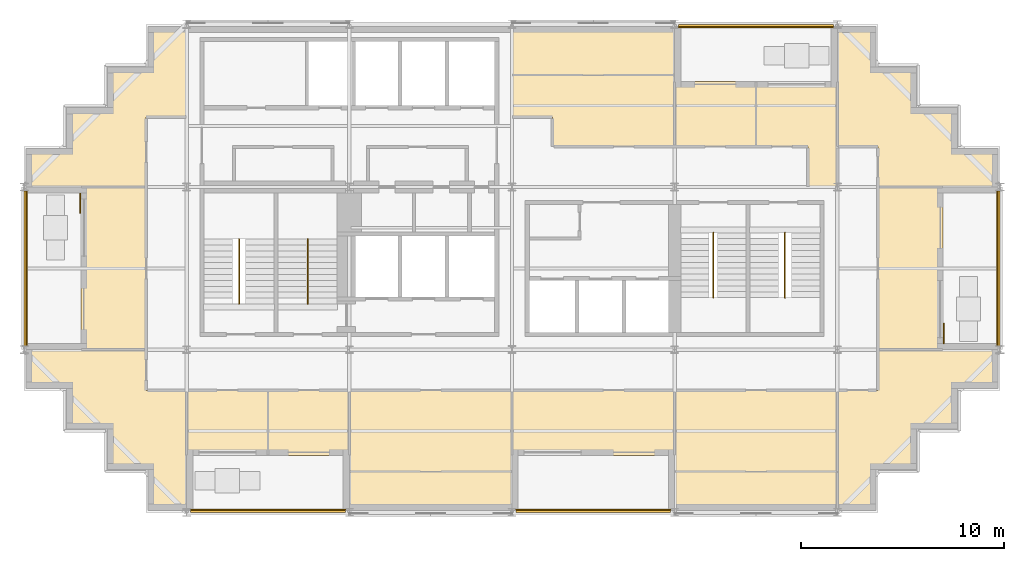
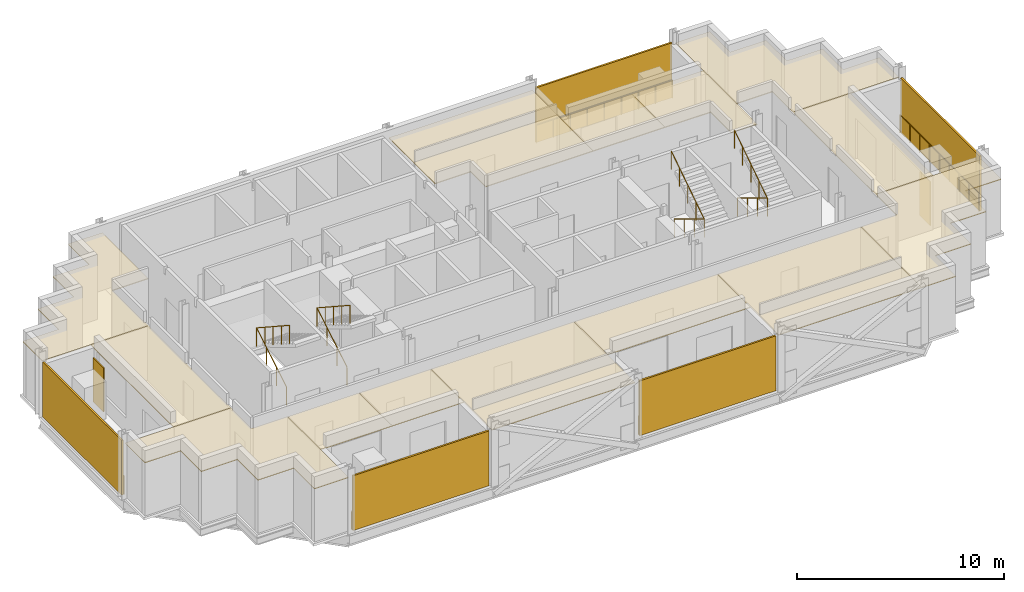
# One storey, part 9 of 10: 17 coverings, 9 railings, 7 shading devices.
"""IFC4 building model written with IfcOpenShell, lengths in metres."""

from ifc_helpers import new_model, si_unit, direction, frame, origin, origin_2d, place, context, subcontext, project, spatial, polyline, rectangle, circle, outline, extrude, material, layer, layer_set, type_object, element, save


model = new_model("IFC4")

# Units and contexts
model_context = context("Model", 3, precision=1e-05, world=origin(), true_north=direction((0.0, 1.0)))
body_context = subcontext(model_context, "Body", "Model", "MODEL_VIEW")
ifc_project = project(units=[si_unit("LENGTHUNIT", "METRE"), si_unit("AREAUNIT", "SQUARE_METRE"), si_unit("VOLUMEUNIT", "CUBIC_METRE"), si_unit("PLANEANGLEUNIT", "RADIAN"), si_unit("MASSUNIT", "GRAM", prefix="KILO")], contexts=[model_context])

# Site, building, storey
site_placement = place(None, origin())
site = spatial("IfcSite", under=ifc_project, at=site_placement, CompositionType="ELEMENT")
building_placement = place(site_placement, origin())
building = spatial("IfcBuilding", under=site, at=building_placement, Name="Immortelle Media Tower", CompositionType="ELEMENT")
storey_placement = place(building_placement, frame((0.0, 0.0, 259.0)))
storey = spatial("IfcBuildingStorey", under=building, at=storey_placement, Name="L56", CompositionType="ELEMENT", Elevation=259.0)

# Railings
ifc_material_1 = material(Name="Powder-coated aluminium fretwork panel, laminated glass backing", Category="aluminium")
railing_type_1 = type_object("IfcRailingType", Name="Fretwork balustrade 1100", PredefinedType="BALUSTRADE", material=ifc_material_1)
railing_1_placement = place(storey_placement, frame((8.197021484375, 0.139892578125, 0.0)))
element("IfcRailing", 1, at=railing_1_placement, inside=storey, type_object=railing_type_1, Name="Fretwork balustrade L56 S0", PredefinedType="BALUSTRADE", context=body_context, shape_type="SweptSolid", body=[
    extrude(circle(Radius=0.02490234375, at=origin_2d()), frame((0.0, 0.0, 1.0751953125), z_axis=(1.0, 0.0, 0.0), x_axis=(0.0, 1.0, 0.0)), (0.0, 0.0, 1.0), 7.6025390625),
    extrude(circle(Radius=0.02001953125, at=origin_2d()), origin(), (0.0, 0.0, 1.0), 1.050048828125),
    extrude(circle(Radius=0.02001953125, at=origin_2d()), frame((0.9501953125, 0.0, 0.0)), (0.0, 0.0, 1.0), 1.050048828125),
    extrude(circle(Radius=0.02001953125, at=origin_2d()), frame((1.900634765625, 0.0, 0.0)), (0.0, 0.0, 1.0), 1.050048828125),
    extrude(circle(Radius=0.02001953125, at=origin_2d()), frame((2.85107421875, 0.0, 0.0)), (0.0, 0.0, 1.0), 1.050048828125),
    extrude(circle(Radius=0.02001953125, at=origin_2d()), frame((3.80126953125, 0.0, 0.0)), (0.0, 0.0, 1.0), 1.050048828125),
    extrude(circle(Radius=0.02001953125, at=origin_2d()), frame((4.75146484375, 0.0, 0.0)), (0.0, 0.0, 1.0), 1.050048828125),
    extrude(circle(Radius=0.02001953125, at=origin_2d()), frame((5.701904296875, 0.0, 0.0)), (0.0, 0.0, 1.0), 1.050048828125),
    extrude(circle(Radius=0.02001953125, at=origin_2d()), frame((6.65234375, 0.0, 0.0)), (0.0, 0.0, 1.0), 1.050048828125),
    extrude(circle(Radius=0.02001953125, at=origin_2d()), frame((7.6025390625, 0.0, 0.0)), (0.0, 0.0, 1.0), 1.050048828125),
])
railing_2_placement = place(storey_placement, frame((24.200439453125, 0.139892578125, 0.0)))
element("IfcRailing", 2, at=railing_2_placement, inside=storey, type_object=railing_type_1, Name="Fretwork balustrade L56 S2", PredefinedType="BALUSTRADE", context=body_context, shape_type="SweptSolid", body=[
    extrude(circle(Radius=0.02490234375, at=origin_2d()), frame((0.0, 0.0, 1.0751953125), z_axis=(1.0, 0.0, 0.0), x_axis=(0.0, 1.0, 0.0)), (0.0, 0.0, 1.0), 7.59912109375),
    extrude(circle(Radius=0.02001953125, at=origin_2d()), origin(), (0.0, 0.0, 1.0), 1.050048828125),
    extrude(circle(Radius=0.02001953125, at=origin_2d()), frame((0.949951171875, 0.0, 0.0)), (0.0, 0.0, 1.0), 1.050048828125),
    extrude(circle(Radius=0.02001953125, at=origin_2d()), frame((1.89990234375, 0.0, 0.0)), (0.0, 0.0, 1.0), 1.050048828125),
    extrude(circle(Radius=0.02001953125, at=origin_2d()), frame((2.849609375, 0.0, 0.0)), (0.0, 0.0, 1.0), 1.050048828125),
    extrude(circle(Radius=0.02001953125, at=origin_2d()), frame((3.799560546875, 0.0, 0.0)), (0.0, 0.0, 1.0), 1.050048828125),
    extrude(circle(Radius=0.02001953125, at=origin_2d()), frame((4.74951171875, 0.0, 0.0)), (0.0, 0.0, 1.0), 1.050048828125),
    extrude(circle(Radius=0.02001953125, at=origin_2d()), frame((5.69921875, 0.0, 0.0)), (0.0, 0.0, 1.0), 1.050048828125),
    extrude(circle(Radius=0.02001953125, at=origin_2d()), frame((6.649169921875, 0.0, 0.0)), (0.0, 0.0, 1.0), 1.050048828125),
    extrude(circle(Radius=0.02001953125, at=origin_2d()), frame((7.59912109375, 0.0, 0.0)), (0.0, 0.0, 1.0), 1.050048828125),
])
railing_3_placement = place(storey_placement, frame((47.860107421875, 8.18798828125, 0.0)))
element("IfcRailing", 3, at=railing_3_placement, inside=storey, type_object=railing_type_1, Name="Fretwork balustrade L56 E0", PredefinedType="BALUSTRADE", context=body_context, shape_type="SweptSolid", body=[
    extrude(circle(Radius=0.02490234375, at=origin_2d()), frame((0.0, 0.0, 1.0751953125), z_axis=(0.0, 1.0, 0.0), x_axis=(-1.0, 0.0, 0.0)), (0.0, 0.0, 1.0), 7.6240234375),
    extrude(circle(Radius=0.02001953125, at=origin_2d()), origin(), (0.0, 0.0, 1.0), 1.050048828125),
    extrude(circle(Radius=0.02001953125, at=origin_2d()), frame((0.0, 0.953125, 0.0)), (0.0, 0.0, 1.0), 1.050048828125),
    extrude(circle(Radius=0.02001953125, at=origin_2d()), frame((0.0, 1.906005859375, 0.0)), (0.0, 0.0, 1.0), 1.050048828125),
    extrude(circle(Radius=0.02001953125, at=origin_2d()), frame((0.0, 2.85888671875, 0.0)), (0.0, 0.0, 1.0), 1.050048828125),
    extrude(circle(Radius=0.02001953125, at=origin_2d()), frame((0.0, 3.81201171875, 0.0)), (0.0, 0.0, 1.0), 1.050048828125),
    extrude(circle(Radius=0.02001953125, at=origin_2d()), frame((0.0, 4.76513671875, 0.0)), (0.0, 0.0, 1.0), 1.050048828125),
    extrude(circle(Radius=0.02001953125, at=origin_2d()), frame((0.0, 5.718017578125, 0.0)), (0.0, 0.0, 1.0), 1.050048828125),
    extrude(circle(Radius=0.02001953125, at=origin_2d()), frame((0.0, 6.6708984375, 0.0)), (0.0, 0.0, 1.0), 1.050048828125),
    extrude(circle(Radius=0.02001953125, at=origin_2d()), frame((0.0, 7.6240234375, 0.0)), (0.0, 0.0, 1.0), 1.050048828125),
])
railing_4_placement = place(storey_placement, frame((39.802978515625, 23.860107421875, 0.0)))
element("IfcRailing", 4, at=railing_4_placement, inside=storey, type_object=railing_type_1, Name="Fretwork balustrade L56 N0", PredefinedType="BALUSTRADE", context=body_context, shape_type="SweptSolid", body=[
    extrude(circle(Radius=0.02490234375, at=origin_2d()), frame((0.0, 0.0, 1.0751953125), z_axis=(-1.0, 0.0, 0.0), x_axis=(0.0, -1.0, 0.0)), (0.0, 0.0, 1.0), 7.6025390625),
    extrude(circle(Radius=0.02001953125, at=origin_2d()), origin(), (0.0, 0.0, 1.0), 1.050048828125),
    extrude(circle(Radius=0.02001953125, at=origin_2d()), frame((-0.9501953125, 0.0, 0.0)), (0.0, 0.0, 1.0), 1.050048828125),
    extrude(circle(Radius=0.02001953125, at=origin_2d()), frame((-1.900634765625, 0.0, 0.0)), (0.0, 0.0, 1.0), 1.050048828125),
    extrude(circle(Radius=0.02001953125, at=origin_2d()), frame((-2.85107421875, 0.0, 0.0)), (0.0, 0.0, 1.0), 1.050048828125),
    extrude(circle(Radius=0.02001953125, at=origin_2d()), frame((-3.80126953125, 0.0, 0.0)), (0.0, 0.0, 1.0), 1.050048828125),
    extrude(circle(Radius=0.02001953125, at=origin_2d()), frame((-4.75146484375, 0.0, 0.0)), (0.0, 0.0, 1.0), 1.050048828125),
    extrude(circle(Radius=0.02001953125, at=origin_2d()), frame((-5.701904296875, 0.0, 0.0)), (0.0, 0.0, 1.0), 1.050048828125),
    extrude(circle(Radius=0.02001953125, at=origin_2d()), frame((-6.65234375, 0.0, 0.0)), (0.0, 0.0, 1.0), 1.050048828125),
    extrude(circle(Radius=0.02001953125, at=origin_2d()), frame((-7.6025390625, 0.0, 0.0)), (0.0, 0.0, 1.0), 1.050048828125),
])
railing_5_placement = place(storey_placement, frame((0.139892578125, 15.81201171875, 0.0)))
element("IfcRailing", 5, at=railing_5_placement, inside=storey, type_object=railing_type_1, Name="Fretwork balustrade L56 W0", PredefinedType="BALUSTRADE", context=body_context, shape_type="SweptSolid", body=[
    extrude(circle(Radius=0.02490234375, at=origin_2d()), frame((0.0, 0.0, 1.0751953125), z_axis=(0.0, -1.0, 0.0), x_axis=(1.0, 0.0, 0.0)), (0.0, 0.0, 1.0), 7.6240234375),
    extrude(circle(Radius=0.02001953125, at=origin_2d()), origin(), (0.0, 0.0, 1.0), 1.050048828125),
    extrude(circle(Radius=0.02001953125, at=origin_2d()), frame((0.0, -0.953125, 0.0)), (0.0, 0.0, 1.0), 1.050048828125),
    extrude(circle(Radius=0.02001953125, at=origin_2d()), frame((0.0, -1.906005859375, 0.0)), (0.0, 0.0, 1.0), 1.050048828125),
    extrude(circle(Radius=0.02001953125, at=origin_2d()), frame((0.0, -2.85888671875, 0.0)), (0.0, 0.0, 1.0), 1.050048828125),
    extrude(circle(Radius=0.02001953125, at=origin_2d()), frame((0.0, -3.81201171875, 0.0)), (0.0, 0.0, 1.0), 1.050048828125),
    extrude(circle(Radius=0.02001953125, at=origin_2d()), frame((0.0, -4.76513671875, 0.0)), (0.0, 0.0, 1.0), 1.050048828125),
    extrude(circle(Radius=0.02001953125, at=origin_2d()), frame((0.0, -5.718017578125, 0.0)), (0.0, 0.0, 1.0), 1.050048828125),
    extrude(circle(Radius=0.02001953125, at=origin_2d()), frame((0.0, -6.6708984375, 0.0)), (0.0, 0.0, 1.0), 1.050048828125),
    extrude(circle(Radius=0.02001953125, at=origin_2d()), frame((0.0, -7.6240234375, 0.0)), (0.0, 0.0, 1.0), 1.050048828125),
])

# Shading devices
ifc_material_2 = material(Name="Pale aluminium louvre blades", Category="aluminium")
ifc_layer_1 = layer(ifc_material_2, 0.10009765625)
ifc_layer_set_1 = layer_set([ifc_layer_1], Name="Pale aluminium louvre blades")
shading_device_type_1 = type_object("IfcShadingDeviceType", Name="Jalousie screen 100", PredefinedType="JALOUSIE", material=ifc_layer_set_1)
shading_device_1_placement = place(storey_placement, frame((11.998291015625, 0.050048828125, 0.0), z_axis=(0.0, 0.0, 1.0), x_axis=(1.0, 0.0, 0.0)))
element("IfcShadingDevice", 6, at=shading_device_1_placement, inside=storey, type_object=shading_device_type_1, Name="Jalousie screen L56 S0", PredefinedType="JALOUSIE", context=body_context, shape_type="SweptSolid", body=[
    extrude(rectangle(XDim=7.6025390625, YDim=0.10009765625, at=origin_2d()), origin(), (0.0, 0.0, 1.0), 3.238037109375),
])
shading_device_2_placement = place(storey_placement, frame((28.0, 0.050048828125, 0.0), z_axis=(0.0, 0.0, 1.0), x_axis=(1.0, 0.0, 0.0)))
element("IfcShadingDevice", 7, at=shading_device_2_placement, inside=storey, type_object=shading_device_type_1, Name="Jalousie screen L56 S2", PredefinedType="JALOUSIE", context=body_context, shape_type="SweptSolid", body=[
    extrude(rectangle(XDim=7.59912109375, YDim=0.10009765625, at=origin_2d()), origin(), (0.0, 0.0, 1.0), 3.238037109375),
])
shading_device_3_placement = place(storey_placement, frame((47.949951171875, 12.0, 0.0), z_axis=(0.0, 0.0, 1.0), x_axis=(0.0, 1.0, 0.0)))
element("IfcShadingDevice", 8, at=shading_device_3_placement, inside=storey, type_object=shading_device_type_1, Name="Jalousie screen L56 E0", PredefinedType="JALOUSIE", context=body_context, shape_type="SweptSolid", body=[
    extrude(rectangle(XDim=7.6240234375, YDim=0.10009765625, at=origin_2d()), origin(), (0.0, 0.0, 1.0), 3.238037109375),
])
shading_device_4_placement = place(storey_placement, frame((36.001708984375, 23.949951171875, 0.0), z_axis=(0.0, 0.0, 1.0), x_axis=(-1.0, 0.0, 0.0)))
element("IfcShadingDevice", 9, at=shading_device_4_placement, inside=storey, type_object=shading_device_type_1, Name="Jalousie screen L56 N0", PredefinedType="JALOUSIE", context=body_context, shape_type="SweptSolid", body=[
    extrude(rectangle(XDim=7.6025390625, YDim=0.10009765625, at=origin_2d()), origin(), (0.0, 0.0, 1.0), 3.238037109375),
])
shading_device_5_placement = place(storey_placement, frame((0.050048828125, 12.0, 0.0), z_axis=(0.0, 0.0, 1.0), x_axis=(0.0, -1.0, 0.0)))
element("IfcShadingDevice", 10, at=shading_device_5_placement, inside=storey, type_object=shading_device_type_1, Name="Jalousie screen L56 W0", PredefinedType="JALOUSIE", context=body_context, shape_type="SweptSolid", body=[
    extrude(rectangle(XDim=7.6240234375, YDim=0.10009765625, at=origin_2d()), origin(), (0.0, 0.0, 1.0), 3.238037109375),
])
ifc_material_3 = material(Name="Pale aluminium louvre blades in a folding frame", Category="aluminium")
ifc_layer_2 = layer(ifc_material_3, 0.050048828125)
ifc_layer_set_2 = layer_set([ifc_layer_2], Name="Pale aluminium louvre blades in a folding frame")
shading_device_type_2 = type_object("IfcShadingDeviceType", Name="Louvred loggia shutter", PredefinedType="SHUTTER", material=ifc_layer_set_2)
for number, where, z_axis, x_axis, name in (
    (11, (45.22509765625, 8.800048828125, 0.0), (0.0, 0.0, 1.0), (0.0, 1.0, 0.0), "Loggia shutter L56 E0"),
    (12, (2.77490234375, 15.199951171875, 0.0), (0.0, 0.0, 1.0), (0.0, -1.0, 0.0), "Loggia shutter L56 W0"),
):
    element("IfcShadingDevice", number, at=place(storey_placement, frame(where, z_axis=z_axis, x_axis=x_axis)), inside=storey, type_object=shading_device_type_2, Name=name, PredefinedType="SHUTTER", context=body_context, shape_type="SweptSolid", body=[
        extrude(rectangle(XDim=1.0, YDim=0.050048828125, at=origin_2d()), origin(), (0.0, 0.0, 1.0), 2.60009765625),
    ])

# Railings
ifc_material_4 = material(Name="Stainless steel AISI 316", Category="steel")
railing_type_2 = type_object("IfcRailingType", Name="Stair guard 1100", PredefinedType="GUARDRAIL", material=ifc_material_4)
for number, where, name in (
    (13, (10.574951171875, 10.5400390625, 0.173828125), "Stair guard SW1"),
    (14, (13.949951171875, 10.5400390625, 0.173828125), "Stair guard SW2"),
):
    element("IfcRailing", number, at=place(storey_placement, frame(where)), inside=storey, type_object=railing_type_2, Name=name, PredefinedType="GUARDRAIL", context=body_context, shape_type="SweptSolid", body=[
        extrude(circle(Radius=0.02392578125, at=origin_2d()), frame((0.0, 0.0, 1.076171875), z_axis=(0.0, 0.857582100076, 0.514347102285), x_axis=(-1.0, 0.0, 0.0)), (0.0, 0.0, 1.0), 3.381591796875),
        extrude(circle(Radius=0.02392578125, at=origin_2d()), frame((0.0, 2.89990234375, 2.8154296875), z_axis=(0.0, -0.836827423118, 0.547466769693), x_axis=(1.0, 0.0, 0.0)), (0.0, 0.0, 1.0), 3.81201171875),
        extrude(circle(Radius=0.02099609375, at=origin_2d()), origin(), (0.0, 0.0, 1.0), 1.052001953125),
        extrude(circle(Radius=0.02099609375, at=origin_2d()), frame((0.0, 0.966552734375, 0.579833984375)), (0.0, 0.0, 1.0), 1.052001953125),
        extrude(circle(Radius=0.02099609375, at=origin_2d()), frame((0.0, 1.933349609375, 1.159423828125)), (0.0, 0.0, 1.0), 1.052001953125),
        extrude(circle(Radius=0.02099609375, at=origin_2d()), frame((0.0, 2.89990234375, 1.7392578125)), (0.0, 0.0, 1.0), 1.052001953125),
        extrude(circle(Radius=0.02099609375, at=origin_2d()), frame((0.0, 2.1025390625, 2.260986328125)), (0.0, 0.0, 1.0), 1.052001953125),
        extrude(circle(Radius=0.02099609375, at=origin_2d()), frame((0.0, 1.304931640625, 2.78271484375)), (0.0, 0.0, 1.0), 1.052001953125),
        extrude(circle(Radius=0.02099609375, at=origin_2d()), frame((0.0, 0.50732421875, 3.304443359375)), (0.0, 0.0, 1.0), 1.052001953125),
        extrude(circle(Radius=0.02099609375, at=origin_2d()), frame((0.0, -0.2900390625, 3.826171875)), (0.0, 0.0, 1.0), 1.052001953125),
    ])
for number, where, name in (
    (15, (33.89990234375, 13.4599609375, 0.173828125), "Stair guard SE1"),
    (16, (37.425048828125, 13.4599609375, 0.173828125), "Stair guard SE2"),
):
    element("IfcRailing", number, at=place(storey_placement, frame(where)), inside=storey, type_object=railing_type_2, Name=name, PredefinedType="GUARDRAIL", context=body_context, shape_type="SweptSolid", body=[
        extrude(circle(Radius=0.02392578125, at=origin_2d()), frame((0.0, 0.0, 1.076171875), z_axis=(0.0, -0.857582100076, 0.514347102285), x_axis=(1.0, 0.0, 0.0)), (0.0, 0.0, 1.0), 3.381591796875),
        extrude(circle(Radius=0.02392578125, at=origin_2d()), frame((0.0, -2.89990234375, 2.8154296875), z_axis=(0.0, 0.836827423118, 0.547466769693), x_axis=(-1.0, 0.0, 0.0)), (0.0, 0.0, 1.0), 3.81201171875),
        extrude(circle(Radius=0.02099609375, at=origin_2d()), origin(), (0.0, 0.0, 1.0), 1.052001953125),
        extrude(circle(Radius=0.02099609375, at=origin_2d()), frame((0.0, -0.966552734375, 0.579833984375)), (0.0, 0.0, 1.0), 1.052001953125),
        extrude(circle(Radius=0.02099609375, at=origin_2d()), frame((0.0, -1.933349609375, 1.159423828125)), (0.0, 0.0, 1.0), 1.052001953125),
        extrude(circle(Radius=0.02099609375, at=origin_2d()), frame((0.0, -2.89990234375, 1.7392578125)), (0.0, 0.0, 1.0), 1.052001953125),
        extrude(circle(Radius=0.02099609375, at=origin_2d()), frame((0.0, -2.1025390625, 2.260986328125)), (0.0, 0.0, 1.0), 1.052001953125),
        extrude(circle(Radius=0.02099609375, at=origin_2d()), frame((0.0, -1.304931640625, 2.78271484375)), (0.0, 0.0, 1.0), 1.052001953125),
        extrude(circle(Radius=0.02099609375, at=origin_2d()), frame((0.0, -0.50732421875, 3.304443359375)), (0.0, 0.0, 1.0), 1.052001953125),
        extrude(circle(Radius=0.02099609375, at=origin_2d()), frame((0.0, 0.2900390625, 3.826171875)), (0.0, 0.0, 1.0), 1.052001953125),
    ])

# Coverings
ifc_material_5 = material(Name="Mineral fibre tile ceiling")
ifc_layer_3 = layer(ifc_material_5, 0.050048828125)
ifc_layer_set_3 = layer_set([ifc_layer_3], Name="Mineral fibre tile ceiling")
covering_type = type_object("IfcCoveringType", Name="Suspended ceiling 50", PredefinedType="CEILING", material=ifc_layer_set_3)
covering_1_placement = place(storey_placement, frame((0.0, 0.0, 3.1220703125)))
element("IfcCovering", 17, at=covering_1_placement, inside=storey, type_object=covering_type, Name="Ceiling L56-001", PredefinedType="CEILING", context=body_context, shape_type="SweptSolid", body=[
    extrude(outline(polyline([(16.0, 2.800048828125), (16.0, 6.0), (24.0, 6.0), (24.0, 2.800048828125), (24.0, 2.0), (16.0, 2.0), (16.0, 2.800048828125)])), origin(), (0.0, 0.0, 1.0), 0.050048828125),
])
covering_2_placement = place(storey_placement, frame((0.0, 0.0, 3.1220703125)))
element("IfcCovering", 18, at=covering_2_placement, inside=storey, type_object=covering_type, Name="Ceiling L56-002", PredefinedType="CEILING", context=body_context, shape_type="SweptSolid", body=[
    extrude(outline(polyline([(16.0, 2.0), (24.0, 2.0), (24.0, 0.10009765625), (16.0, 0.10009765625), (16.0, 2.0)])), origin(), (0.0, 0.0, 1.0), 0.050048828125),
])
covering_3_placement = place(storey_placement, frame((0.0, 0.0, 3.1220703125)))
element("IfcCovering", 19, at=covering_3_placement, inside=storey, type_object=covering_type, Name="Ceiling L56-003", PredefinedType="CEILING", context=body_context, shape_type="SweptSolid", body=[
    extrude(outline(polyline([(32.0, 2.800048828125), (32.0, 6.0), (40.0, 6.0), (40.0, 2.0), (32.0, 2.0), (32.0, 2.800048828125)])), origin(), (0.0, 0.0, 1.0), 0.050048828125),
])
covering_4_placement = place(storey_placement, frame((0.0, 0.0, 3.1220703125)))
element("IfcCovering", 20, at=covering_4_placement, inside=storey, type_object=covering_type, Name="Ceiling L56-004", PredefinedType="CEILING", context=body_context, shape_type="SweptSolid", body=[
    extrude(outline(polyline([(32.0, 2.0), (40.0, 2.0), (40.0, 0.10009765625), (32.0, 0.10009765625), (32.0, 2.0)])), origin(), (0.0, 0.0, 1.0), 0.050048828125),
])
covering_5_placement = place(storey_placement, frame((0.0, 0.0, 3.1220703125)))
element("IfcCovering", 21, at=covering_5_placement, inside=storey, type_object=covering_type, Name="Ceiling L56-005", PredefinedType="CEILING", context=body_context, shape_type="SweptSolid", body=[
    extrude(outline(polyline([(8.0, 6.0), (12.0, 6.0), (12.0, 2.800048828125), (8.0, 2.800048828125), (8.0, 6.0)])), origin(), (0.0, 0.0, 1.0), 0.050048828125),
])
covering_6_placement = place(storey_placement, frame((0.0, 0.0, 3.1220703125)))
element("IfcCovering", 22, at=covering_6_placement, inside=storey, type_object=covering_type, Name="Ceiling L56-006", PredefinedType="CEILING", context=body_context, shape_type="SweptSolid", body=[
    extrude(outline(polyline([(16.0, 6.0), (16.0, 2.800048828125), (12.0, 2.800048828125), (12.0, 6.0), (16.0, 6.0)])), origin(), (0.0, 0.0, 1.0), 0.050048828125),
])
covering_7_placement = place(storey_placement, frame((0.0, 0.0, 3.1220703125)))
element("IfcCovering", 23, at=covering_7_placement, inside=storey, type_object=covering_type, Name="Ceiling L56-007", PredefinedType="CEILING", context=body_context, shape_type="SweptSolid", body=[
    extrude(outline(polyline([(24.0, 2.800048828125), (24.0, 6.0), (26.0, 6.0), (32.0, 6.0), (32.0, 2.800048828125), (24.0, 2.800048828125)])), origin(), (0.0, 0.0, 1.0), 0.050048828125),
])
covering_8_placement = place(storey_placement, frame((0.0, 0.0, 3.1220703125)))
element("IfcCovering", 24, at=covering_8_placement, inside=storey, type_object=covering_type, Name="Ceiling L56-008", PredefinedType="CEILING", context=body_context, shape_type="SweptSolid", body=[
    extrude(outline(polyline([(6.10009765625, 0.10009765625), (6.10009765625, 2.10009765625), (4.10009765625, 2.10009765625), (4.10009765625, 4.10009765625), (2.10009765625, 4.10009765625), (2.10009765625, 6.10009765625), (0.10009765625, 6.10009765625), (0.10009765625, 8.0), (2.800048828125, 8.0), (6.0, 8.0), (6.0, 6.0), (8.0, 6.0), (8.0, 2.800048828125), (8.0, 0.10009765625), (6.10009765625, 0.10009765625)])), origin(), (0.0, 0.0, 1.0), 0.050048828125),
])
covering_9_placement = place(storey_placement, frame((0.0, 0.0, 3.1220703125)))
element("IfcCovering", 25, at=covering_9_placement, inside=storey, type_object=covering_type, Name="Ceiling L56-009", PredefinedType="CEILING", context=body_context, shape_type="SweptSolid", body=[
    extrude(outline(polyline([(43.89990234375, 2.10009765625), (41.89990234375, 2.10009765625), (41.89990234375, 0.10009765625), (40.0, 0.10009765625), (40.0, 6.0), (42.0, 6.0), (42.0, 8.0), (44.0, 8.0), (45.199951171875, 8.0), (47.89990234375, 8.0), (47.89990234375, 6.10009765625), (45.89990234375, 6.10009765625), (45.89990234375, 4.10009765625), (44.0, 4.10009765625), (43.89990234375, 4.10009765625), (43.89990234375, 2.10009765625)])), origin(), (0.0, 0.0, 1.0), 0.050048828125),
])
covering_10_placement = place(storey_placement, frame((0.0, 0.0, 3.1220703125)))
element("IfcCovering", 26, at=covering_10_placement, inside=storey, type_object=covering_type, Name="Ceiling L56-010", PredefinedType="CEILING", context=body_context, shape_type="SweptSolid", body=[
    extrude(outline(polyline([(6.0, 8.0), (2.800048828125, 8.0), (2.800048828125, 16.0), (6.0, 16.0), (6.0, 8.0)])), origin(), (0.0, 0.0, 1.0), 0.050048828125),
])
covering_11_placement = place(storey_placement, frame((0.0, 0.0, 3.1220703125)))
element("IfcCovering", 27, at=covering_11_placement, inside=storey, type_object=covering_type, Name="Ceiling L56-011", PredefinedType="CEILING", context=body_context, shape_type="SweptSolid", body=[
    extrude(outline(polyline([(45.199951171875, 8.0), (42.0, 8.0), (42.0, 16.0), (45.199951171875, 16.0), (45.199951171875, 8.0)])), origin(), (0.0, 0.0, 1.0), 0.050048828125),
])
covering_12_placement = place(storey_placement, frame((0.0, 0.0, 3.1220703125)))
element("IfcCovering", 28, at=covering_12_placement, inside=storey, type_object=covering_type, Name="Ceiling L56-012", PredefinedType="CEILING", context=body_context, shape_type="SweptSolid", body=[
    extrude(outline(polyline([(2.800048828125, 16.0), (0.10009765625, 16.0), (0.10009765625, 17.89990234375), (2.10009765625, 17.89990234375), (2.10009765625, 19.89990234375), (4.10009765625, 19.89990234375), (4.10009765625, 20.0), (4.10009765625, 21.89990234375), (6.10009765625, 21.89990234375), (6.10009765625, 23.89990234375), (8.0, 23.89990234375), (8.0, 20.0), (8.0, 19.449951171875), (6.0, 19.449951171875), (6.0, 16.0), (2.800048828125, 16.0)])), origin(), (0.0, 0.0, 1.0), 0.050048828125),
])
covering_13_placement = place(storey_placement, frame((0.0, 0.0, 3.1220703125)))
element("IfcCovering", 29, at=covering_13_placement, inside=storey, type_object=covering_type, Name="Ceiling L56-013", PredefinedType="CEILING", context=body_context, shape_type="SweptSolid", body=[
    extrude(outline(polyline([(45.89990234375, 19.89990234375), (45.89990234375, 17.89990234375), (47.89990234375, 17.89990234375), (47.89990234375, 16.0), (45.199951171875, 16.0), (44.0, 16.0), (42.0, 16.0), (42.0, 18.0), (40.0, 18.0), (40.0, 21.199951171875), (40.0, 23.89990234375), (41.89990234375, 23.89990234375), (41.89990234375, 21.89990234375), (43.89990234375, 21.89990234375), (43.89990234375, 19.89990234375), (44.0, 19.89990234375), (45.89990234375, 19.89990234375)])), origin(), (0.0, 0.0, 1.0), 0.050048828125),
])
covering_14_placement = place(storey_placement, frame((0.0, 0.0, 3.1220703125)))
element("IfcCovering", 30, at=covering_14_placement, inside=storey, type_object=covering_type, Name="Ceiling L56-014", PredefinedType="CEILING", context=body_context, shape_type="SweptSolid", body=[
    extrude(outline(polyline([(32.0, 18.0), (32.0, 21.199951171875), (36.0, 21.199951171875), (36.0, 18.0), (32.0, 18.0)])), origin(), (0.0, 0.0, 1.0), 0.050048828125),
])
covering_15_placement = place(storey_placement, frame((0.0, 0.0, 3.1220703125)))
element("IfcCovering", 31, at=covering_15_placement, inside=storey, type_object=covering_type, Name="Ceiling L56-015", PredefinedType="CEILING", context=body_context, shape_type="SweptSolid", body=[
    extrude(outline(polyline([(38.550048828125, 18.0), (36.0, 18.0), (36.0, 21.199951171875), (40.0, 21.199951171875), (40.0, 18.0), (40.0, 16.0), (38.550048828125, 16.0), (38.550048828125, 18.0)])), origin(), (0.0, 0.0, 1.0), 0.050048828125),
])
covering_16_placement = place(storey_placement, frame((0.0, 0.0, 3.1220703125)))
element("IfcCovering", 32, at=covering_16_placement, inside=storey, type_object=covering_type, Name="Ceiling L56-016", PredefinedType="CEILING", context=body_context, shape_type="SweptSolid", body=[
    extrude(outline(polyline([(26.0, 18.0), (26.0, 19.449951171875), (24.0, 19.449951171875), (24.0, 21.199951171875), (24.0, 21.5), (32.0, 21.5), (32.0, 21.199951171875), (32.0, 18.0), (27.0, 18.0), (26.0, 18.0)])), origin(), (0.0, 0.0, 1.0), 0.050048828125),
])
covering_17_placement = place(storey_placement, frame((0.0, 0.0, 3.1220703125)))
element("IfcCovering", 33, at=covering_17_placement, inside=storey, type_object=covering_type, Name="Ceiling L56-017", PredefinedType="CEILING", context=body_context, shape_type="SweptSolid", body=[
    extrude(outline(polyline([(24.0, 23.89990234375), (32.0, 23.89990234375), (32.0, 21.5), (24.0, 21.5), (24.0, 23.89990234375)])), origin(), (0.0, 0.0, 1.0), 0.050048828125),
])

save(model, "model.ifc")
